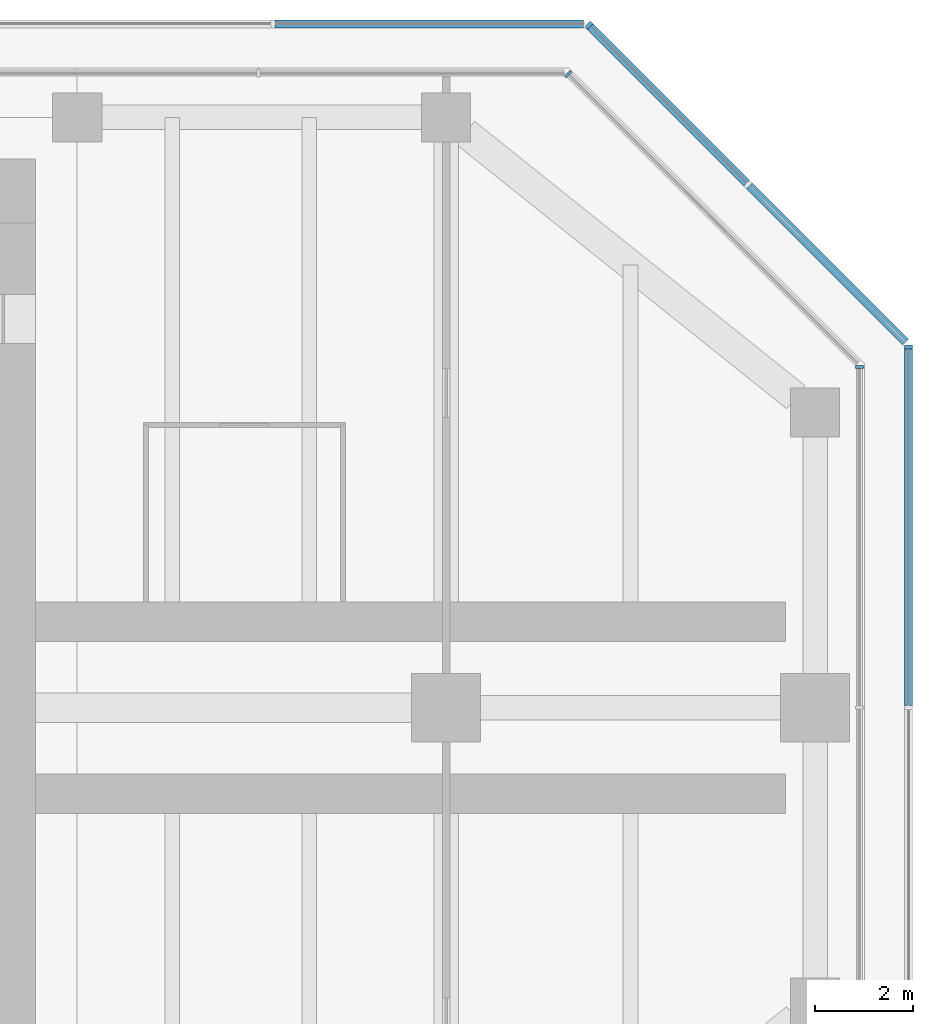
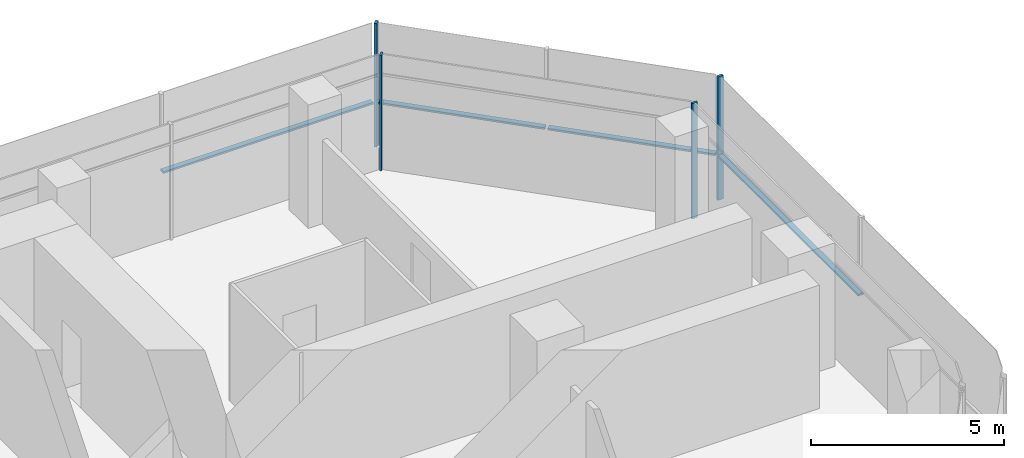
# One storey, part 8 of 15: 8 members, 5 elements without a shape of their own.
"""IFC4 building model written with IfcOpenShell, lengths in metres."""

from ifc_helpers import new_model, si_unit, direction, frame, origin, origin_2d, place, context, subcontext, project, spatial, rectangle, extrude, material, material_profile, profile_set, type_object, element, aggregate, save


model = new_model("IFC4")

# Units and contexts
model_context = context("Model", 3, precision=1e-05, world=origin(), true_north=direction((0.0, 1.0)))
body_context = subcontext(model_context, "Body", "Model", "MODEL_VIEW")
ifc_project = project(units=[si_unit("LENGTHUNIT", "METRE"), si_unit("AREAUNIT", "SQUARE_METRE"), si_unit("VOLUMEUNIT", "CUBIC_METRE"), si_unit("PLANEANGLEUNIT", "RADIAN"), si_unit("MASSUNIT", "GRAM", prefix="KILO")], contexts=[model_context])

# Site, building, storey
site_placement = place(None, origin())
site = spatial("IfcSite", under=ifc_project, at=site_placement, CompositionType="ELEMENT")
building_placement = place(site_placement, origin())
building = spatial("IfcBuilding", under=site, at=building_placement, Name="Mizan Broadcast Tower", CompositionType="ELEMENT")
storey_placement = place(building_placement, frame((0.0, 0.0, 302.39990234375)))
storey = spatial("IfcBuildingStorey", under=building, at=storey_placement, Name="L72", CompositionType="ELEMENT", Elevation=302.39990234375)

# Curtain wall, member
ifc_material_1 = material(Name="Aluminium framed glazing", Category="aluminium")
curtain_wall_type_1 = type_object("IfcCurtainWallType", Name="INNER SKIN TOP ZONE", PredefinedType="USERDEFINED", material=ifc_material_1)
curtain_wall_1_placement = place(storey_placement, origin())
curtain_wall_1 = element("IfcCurtainWall", 1, at=curtain_wall_1_placement, inside=storey, type_object=curtain_wall_type_1, Name="Inner skin top zone L72 E end", ObjectType="INNER SKIN TOP ZONE", PredefinedType="USERDEFINED")
ifc_material_2 = material(Name="Aluminium, pale anodised", Category="aluminium")
ifc_material_profile_1 = material_profile(ifc_material_2, rectangle(XDim=0.159912109375, YDim=0.06005859375, at=origin_2d()), Name="MULLION 160x60")
ifc_profile_set_1 = profile_set([ifc_material_profile_1], Name="Aluminium, pale anodised")
member_type_1 = type_object("IfcMemberType", Name="INNER SKIN MULLION 60x160", PredefinedType="MULLION", material=ifc_profile_set_1)
member_1_placement = place(storey_placement, frame((27.89990234375, 6.928466796875, 0.0), z_axis=(0.0, 0.0, 1.0), x_axis=(-1.0, 0.0, 0.0)))
member_1 = element("IfcMember", 2, at=member_1_placement, type_object=member_type_1, Name="Inner skin top zone L72 E end mullion 3", PredefinedType="MULLION", context=body_context, shape_type="SweptSolid", body=[
    extrude(rectangle(XDim=0.159912109375, YDim=0.06005859375, at=origin_2d()), origin(), (0.0, 0.0, 1.0), 3.650146484375),
])
aggregate(curtain_wall_1, [member_1])

curtain_wall_2_placement = place(storey_placement, origin())
curtain_wall_2 = element("IfcCurtainWall", 3, at=curtain_wall_2_placement, inside=storey, type_object=curtain_wall_type_1, Name="Inner skin top zone L72 E chamfer", ObjectType="INNER SKIN TOP ZONE", PredefinedType="USERDEFINED")
member_2_placement = place(storey_placement, frame((21.979736328125, 12.87890625, 0.0), z_axis=(0.0, 0.0, 1.0), x_axis=(-0.707106781187, -0.707106781187, 0.0)))
member_2 = element("IfcMember", 4, at=member_2_placement, type_object=member_type_1, Name="Inner skin top zone L72 E chamfer mullion 2", PredefinedType="MULLION", context=body_context, shape_type="SweptSolid", body=[
    extrude(rectangle(XDim=0.159912109375, YDim=0.06005859375, at=origin_2d()), origin(), (0.0, 0.0, 1.0), 3.650146484375),
])
aggregate(curtain_wall_2, [member_2])

ifc_material_3 = material(Name="Aluminium framed glazing", Category="aluminium")
curtain_wall_type_2 = type_object("IfcCurtainWallType", Name="OUTER SKIN", PredefinedType="USERDEFINED", material=ifc_material_3)
curtain_wall_3_placement = place(storey_placement, origin())
curtain_wall_3 = element("IfcCurtainWall", 5, at=curtain_wall_3_placement, inside=storey, type_object=curtain_wall_type_2, Name="Outer skin L72 E end", ObjectType="OUTER SKIN", PredefinedType="USERDEFINED")
ifc_material_4 = material(Name="Aluminium, pale anodised", Category="aluminium")
ifc_material_profile_2 = material_profile(ifc_material_4, rectangle(XDim=0.159912109375, YDim=0.080078125, at=origin_2d()), Name="MULLION 160x80")
ifc_profile_set_2 = profile_set([ifc_material_profile_2], Name="Aluminium, pale anodised")
member_type_2 = type_object("IfcMemberType", Name="OUTER SKIN MULLION 80x160", PredefinedType="MULLION", material=ifc_profile_set_2)
member_3_placement = place(storey_placement, frame((28.89990234375, 7.332763671875, 0.0), z_axis=(0.0, 0.0, 1.0), x_axis=(-1.0, 0.0, 0.0)))
member_3 = element("IfcMember", 6, at=member_3_placement, type_object=member_type_2, Name="Outer skin L72 E end mullion 3", PredefinedType="MULLION", context=body_context, shape_type="SweptSolid", body=[
    extrude(rectangle(XDim=0.159912109375, YDim=0.080078125, at=origin_2d()), origin(), (0.0, 0.0, 1.0), 3.900146484375),
])

curtain_wall_4_placement = place(storey_placement, origin())
curtain_wall_4 = element("IfcCurtainWall", 7, at=curtain_wall_4_placement, inside=storey, type_object=curtain_wall_type_2, Name="Outer skin L72 E chamfer", ObjectType="OUTER SKIN", PredefinedType="USERDEFINED")
member_4_placement = place(storey_placement, frame((22.401123046875, 13.871826171875, 0.0), z_axis=(0.0, 0.0, 1.0), x_axis=(-0.707106781187, -0.707106781187, 0.0)))
member_4 = element("IfcMember", 8, at=member_4_placement, type_object=member_type_2, Name="Outer skin L72 E chamfer mullion 3", PredefinedType="MULLION", context=body_context, shape_type="SweptSolid", body=[
    extrude(rectangle(XDim=0.159912109375, YDim=0.080078125, at=origin_2d()), origin(), (0.0, 0.0, 1.0), 3.900146484375),
])

# Member
ifc_material_5 = material(Name="Aluminium, pale anodised", Category="aluminium")
ifc_material_profile_3 = material_profile(ifc_material_5, rectangle(XDim=0.159912109375, YDim=0.06005859375, at=origin_2d()), Name="TRANSOM 160x60")
ifc_profile_set_3 = profile_set([ifc_material_profile_3], Name="Aluminium, pale anodised")
member_type_3 = type_object("IfcMemberType", Name="OUTER SKIN TRANSOM 60x160", PredefinedType="USERDEFINED", material=ifc_profile_set_3)
member_5_placement = place(storey_placement, frame((28.89990234375, 0.0400390625, 1.400146484375), z_axis=(0.0, 1.0, 0.0), x_axis=(-1.0, 0.0, 0.0)))
member_5 = element("IfcMember", 9, at=member_5_placement, type_object=member_type_3, Name="Outer skin L72 E end transom 2.1", ObjectType="TRANSOM", PredefinedType="USERDEFINED", context=body_context, shape_type="SweptSolid", body=[
    extrude(rectangle(XDim=0.159912109375, YDim=0.06005859375, at=origin_2d()), origin(), (0.0, 0.0, 1.0), 7.252685546875),
])

aggregate(curtain_wall_3, [member_3, member_5])

member_6_placement = place(storey_placement, frame((28.843505859375, 7.429443359375, 1.400146484375), z_axis=(-0.707106781187, 0.707106781187, 0.0), x_axis=(-0.707106781187, -0.707106781187, 0.0)))
member_6 = element("IfcMember", 10, at=member_6_placement, type_object=member_type_3, Name="Outer skin L72 E chamfer transom 1.1", ObjectType="TRANSOM", PredefinedType="USERDEFINED", context=body_context, shape_type="SweptSolid", body=[
    extrude(rectangle(XDim=0.159912109375, YDim=0.06005859375, at=origin_2d()), origin(), (0.0, 0.0, 1.0), 4.495361328125),
])

member_7_placement = place(storey_placement, frame((25.608154296875, 10.664794921875, 1.400146484375), z_axis=(-0.707106781187, 0.707106781187, 0.0), x_axis=(-0.707106781187, -0.707106781187, 0.0)))
member_7 = element("IfcMember", 11, at=member_7_placement, type_object=member_type_3, Name="Outer skin L72 E chamfer transom 2.1", ObjectType="TRANSOM", PredefinedType="USERDEFINED", context=body_context, shape_type="SweptSolid", body=[
    extrude(rectangle(XDim=0.159912109375, YDim=0.06005859375, at=origin_2d()), origin(), (0.0, 0.0, 1.0), 4.495361328125),
])

aggregate(curtain_wall_4, [member_4, member_6, member_7])

# Curtain wall, member
curtain_wall_5_placement = place(storey_placement, origin())
curtain_wall_5 = element("IfcCurtainWall", 12, at=curtain_wall_5_placement, inside=storey, type_object=curtain_wall_type_2, Name="Outer skin L72 N end", ObjectType="OUTER SKIN", PredefinedType="USERDEFINED")
member_8_placement = place(storey_placement, frame((22.292724609375, 13.89990234375, 1.400146484375), z_axis=(-1.0, 0.0, 0.0), x_axis=(0.0, -1.0, 0.0)))
member_8 = element("IfcMember", 13, at=member_8_placement, type_object=member_type_3, Name="Outer skin L72 N end transom 1.1", ObjectType="TRANSOM", PredefinedType="USERDEFINED", context=body_context, shape_type="SweptSolid", body=[
    extrude(rectangle(XDim=0.159912109375, YDim=0.06005859375, at=origin_2d()), origin(), (0.0, 0.0, 1.0), 6.272216796875),
])
aggregate(curtain_wall_5, [member_8])

save(model, "model.ifc")
